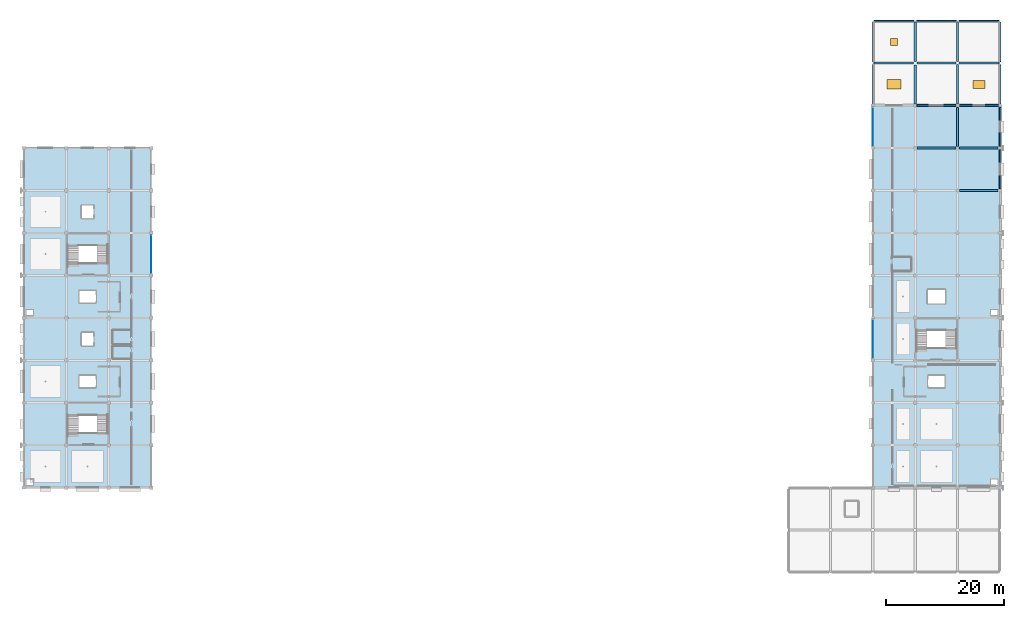
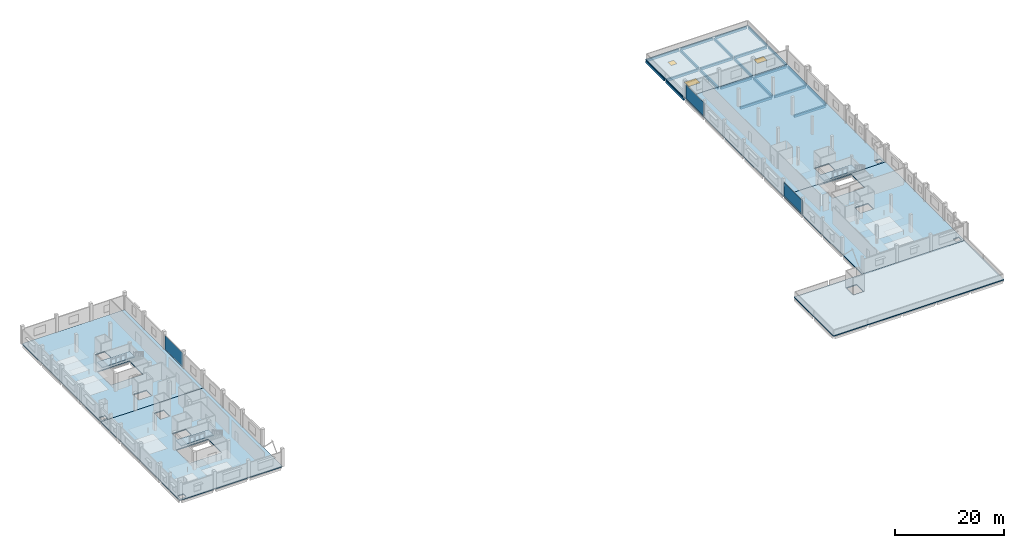
# One storey, part 11 of 26: 22 beams, 9 slabs, 3 plates, 3 windows, 3 openings, 6 elements without a shape of their own.
"""IFC4 building model written with IfcOpenShell, lengths in metres."""

from ifc_helpers import new_model, si_unit, direction, frame, origin, origin_2d, place, context, subcontext, project, spatial, polyline, rectangle, outline, extrude, material, layer, layer_set, material_profile, profile_set, type_object, element, fill, aggregate, save


model = new_model("IFC4")

# Units and contexts
model_context = context("Model", 3, precision=1e-05, world=origin(), true_north=direction((0.0, 1.0)))
body_context = subcontext(model_context, "Body", "Model", "MODEL_VIEW")
ifc_project = project(units=[si_unit("LENGTHUNIT", "METRE"), si_unit("AREAUNIT", "SQUARE_METRE"), si_unit("VOLUMEUNIT", "CUBIC_METRE"), si_unit("PLANEANGLEUNIT", "RADIAN"), si_unit("MASSUNIT", "GRAM", prefix="KILO")], contexts=[model_context])

# Site, building, storey
site_placement = place(None, origin())
site = spatial("IfcSite", under=ifc_project, at=site_placement, CompositionType="ELEMENT")
building_placement = place(site_placement, origin())
building = spatial("IfcBuilding", under=site, at=building_placement, Name="Kangsadwip Square Police Headquarters", CompositionType="ELEMENT")
storey_placement = place(building_placement, frame((0.0, 0.0, 25.64990234375)))
storey = spatial("IfcBuildingStorey", under=building, at=storey_placement, Name="L06", CompositionType="ELEMENT", Elevation=25.64990234375)

# Beams
ifc_material_1 = material(Name="Concrete M35 (35 MPa)", Category="concrete")
ifc_material_profile_1 = material_profile(ifc_material_1, rectangle(XDim=0.35009765625, YDim=0.550048828125, at=origin_2d()), Name="RC BM 550X350")
ifc_profile_set_1 = profile_set([ifc_material_profile_1], Name="Concrete M35 (35 MPa)")
beam_type_1 = type_object("IfcBeamType", Name="RcBeam550x350", PredefinedType="BEAM", material=ifc_profile_set_1)
beam_1_placement = place(storey_placement, frame((144.25, 108.0, -0.494873046875), z_axis=(1.0, 0.0, 0.0), x_axis=(0.0, 1.0, 0.0)))
element("IfcBeam", 1, at=beam_1_placement, inside=storey, type_object=beam_type_1, Name="Beam BM-L06-X-20-15", PredefinedType="BEAM", context=body_context, shape_type="SweptSolid", body=[
    extrude(rectangle(XDim=0.35009765625, YDim=0.550048828125, at=origin_2d()), origin(), (0.0, 0.0, 1.0), 6.675048828125),
])
beam_2_placement = place(storey_placement, frame((151.47509765625, 108.0, -0.494873046875), z_axis=(1.0, 0.0, 0.0), x_axis=(0.0, 1.0, 0.0)))
element("IfcBeam", 2, at=beam_2_placement, inside=storey, type_object=beam_type_1, Name="Beam BM-L06-X-21-15", PredefinedType="BEAM", context=body_context, shape_type="SweptSolid", body=[
    extrude(rectangle(XDim=0.35009765625, YDim=0.550048828125, at=origin_2d()), origin(), (0.0, 0.0, 1.0), 6.6748046875),
])
beam_3_placement = place(storey_placement, frame((158.64990234375, 108.0, -0.494873046875), z_axis=(1.0, 0.0, 0.0), x_axis=(0.0, 1.0, 0.0)))
element("IfcBeam", 3, at=beam_3_placement, inside=storey, type_object=beam_type_1, Name="Beam BM-L06-X-22-15", PredefinedType="BEAM", context=body_context, shape_type="SweptSolid", body=[
    extrude(rectangle(XDim=0.35009765625, YDim=0.550048828125, at=origin_2d()), origin(), (0.0, 0.0, 1.0), 6.675048828125),
])
beam_4_placement = place(storey_placement, frame((151.199951171875, 101.10009765625, -0.494873046875), z_axis=(0.0, 1.0, 0.0), x_axis=(-1.0, 0.0, 0.0)))
element("IfcBeam", 4, at=beam_4_placement, inside=storey, type_object=beam_type_1, Name="Beam BM-L06-Y-21-14", PredefinedType="BEAM", context=body_context, shape_type="SweptSolid", body=[
    extrude(rectangle(XDim=0.35009765625, YDim=0.550048828125, at=origin_2d()), origin(), (0.0, 0.0, 1.0), 6.625),
])
beam_5_placement = place(storey_placement, frame((151.199951171875, 108.27490234375, -0.494873046875), z_axis=(0.0, 1.0, 0.0), x_axis=(-1.0, 0.0, 0.0)))
element("IfcBeam", 5, at=beam_5_placement, inside=storey, type_object=beam_type_1, Name="Beam BM-L06-Y-21-15", PredefinedType="BEAM", context=body_context, shape_type="SweptSolid", body=[
    extrude(rectangle(XDim=0.35009765625, YDim=0.550048828125, at=origin_2d()), origin(), (0.0, 0.0, 1.0), 6.675048828125),
])
beam_6_placement = place(storey_placement, frame((158.39990234375, 101.10009765625, -0.494873046875), z_axis=(0.0, 1.0, 0.0), x_axis=(-1.0, 0.0, 0.0)))
element("IfcBeam", 6, at=beam_6_placement, inside=storey, type_object=beam_type_1, Name="Beam BM-L06-Y-22-14", PredefinedType="BEAM", context=body_context, shape_type="SweptSolid", body=[
    extrude(rectangle(XDim=0.35009765625, YDim=0.550048828125, at=origin_2d()), origin(), (0.0, 0.0, 1.0), 6.64990234375),
])
beam_7_placement = place(storey_placement, frame((158.39990234375, 108.25, -0.494873046875), z_axis=(0.0, 1.0, 0.0), x_axis=(-1.0, 0.0, 0.0)))
element("IfcBeam", 7, at=beam_7_placement, inside=storey, type_object=beam_type_1, Name="Beam BM-L06-Y-22-15", PredefinedType="BEAM", context=body_context, shape_type="SweptSolid", body=[
    extrude(rectangle(XDim=0.35009765625, YDim=0.550048828125, at=origin_2d()), origin(), (0.0, 0.0, 1.0), 6.675048828125),
])
beam_8_placement = place(storey_placement, frame((158.699951171875, 86.39990234375, -0.494873046875), z_axis=(1.0, 0.0, 0.0), x_axis=(0.0, 1.0, 0.0)))
element("IfcBeam", 8, at=beam_8_placement, inside=storey, type_object=beam_type_1, Name="Beam BM-L06-X-22-12", PredefinedType="BEAM", context=body_context, shape_type="SweptSolid", body=[
    extrude(rectangle(XDim=0.35009765625, YDim=0.550048828125, at=origin_2d()), origin(), (0.0, 0.0, 1.0), 6.550048828125),
])
beam_9_placement = place(storey_placement, frame((151.5, 93.60009765625, -0.494873046875), z_axis=(1.0, 0.0, 0.0), x_axis=(0.0, 1.0, 0.0)))
element("IfcBeam", 9, at=beam_9_placement, inside=storey, type_object=beam_type_1, Name="Beam BM-L06-X-21-13", PredefinedType="BEAM", context=body_context, shape_type="SweptSolid", body=[
    extrude(rectangle(XDim=0.35009765625, YDim=0.550048828125, at=origin_2d()), origin(), (0.0, 0.0, 1.0), 6.60009765625),
])
beam_10_placement = place(storey_placement, frame((158.699951171875, 93.60009765625, -0.494873046875), z_axis=(1.0, 0.0, 0.0), x_axis=(0.0, 1.0, 0.0)))
element("IfcBeam", 10, at=beam_10_placement, inside=storey, type_object=beam_type_1, Name="Beam BM-L06-X-22-13", PredefinedType="BEAM", context=body_context, shape_type="SweptSolid", body=[
    extrude(rectangle(XDim=0.35009765625, YDim=0.550048828125, at=origin_2d()), origin(), (0.0, 0.0, 1.0), 6.550048828125),
])
beam_11_placement = place(storey_placement, frame((158.39990234375, 93.89990234375, -0.494873046875), z_axis=(0.0, 1.0, 0.0), x_axis=(-1.0, 0.0, 0.0)))
element("IfcBeam", 11, at=beam_11_placement, inside=storey, type_object=beam_type_1, Name="Beam BM-L06-Y-22-13", PredefinedType="BEAM", context=body_context, shape_type="SweptSolid", body=[
    extrude(rectangle(XDim=0.35009765625, YDim=0.550048828125, at=origin_2d()), origin(), (0.0, 0.0, 1.0), 6.60009765625),
])
ifc_material_2 = material(Name="Concrete M35 (35 MPa)", Category="concrete")
ifc_material_profile_2 = material_profile(ifc_material_2, rectangle(XDim=0.25, YDim=0.52001953125, at=origin_2d()), Name="RC SPN 520X250")
ifc_profile_set_2 = profile_set([ifc_material_profile_2], Name="Concrete M35 (35 MPa)")
beam_type_2 = type_object("IfcBeamType", Name="RcSpandrel520x250", PredefinedType="SPANDREL", material=ifc_profile_set_2)
for number, where, z_axis, x_axis, name in (
    (12, (151.5, 100.800048828125, -0.47998046875), (1.0, 0.0, 0.0), (0.0, 1.0, 0.0), "Beam BM-L06-X-21-14"),
    (13, (158.699951171875, 100.800048828125, -0.47998046875), (1.0, 0.0, 0.0), (0.0, 1.0, 0.0), "Beam BM-L06-X-22-14"),
):
    element("IfcBeam", number, at=place(storey_placement, frame(where, z_axis=z_axis, x_axis=x_axis)), inside=storey, type_object=beam_type_2, Name=name, PredefinedType="SPANDREL", context=body_context, shape_type="SweptSolid", body=[
        extrude(rectangle(XDim=0.25, YDim=0.52001953125, at=origin_2d()), origin(), (0.0, 0.0, 1.0), 6.60009765625),
    ])
for number, where, z_axis, x_axis, name in (
    (14, (144.27490234375, 115.199951171875, -0.47998046875), (1.0, 0.0, 0.0), (0.0, 1.0, 0.0), "Beam BM-L06-X-20-16"),
    (15, (151.449951171875, 115.199951171875, -0.47998046875), (1.0, 0.0, 0.0), (0.0, 1.0, 0.0), "Beam BM-L06-X-21-16"),
    (16, (158.675048828125, 115.199951171875, -0.47998046875), (1.0, 0.0, 0.0), (0.0, 1.0, 0.0), "Beam BM-L06-X-22-16"),
):
    element("IfcBeam", number, at=place(storey_placement, frame(where, z_axis=z_axis, x_axis=x_axis)), inside=storey, type_object=beam_type_2, Name=name, PredefinedType="SPANDREL", context=body_context, shape_type="SweptSolid", body=[
        extrude(rectangle(XDim=0.25, YDim=0.52001953125, at=origin_2d()), origin(), (0.0, 0.0, 1.0), 6.675048828125),
    ])
beam_12_placement = place(storey_placement, frame((144.0, 101.10009765625, -0.47998046875), z_axis=(0.0, 1.0, 0.0), x_axis=(-1.0, 0.0, 0.0)))
element("IfcBeam", 17, at=beam_12_placement, inside=storey, type_object=beam_type_2, Name="Beam BM-L06-Y-20-14", PredefinedType="SPANDREL", context=body_context, shape_type="SweptSolid", body=[
    extrude(rectangle(XDim=0.25, YDim=0.52001953125, at=origin_2d()), origin(), (0.0, 0.0, 1.0), 6.64990234375),
])
beam_13_placement = place(storey_placement, frame((144.0, 108.25, -0.47998046875), z_axis=(0.0, 1.0, 0.0), x_axis=(-1.0, 0.0, 0.0)))
element("IfcBeam", 18, at=beam_13_placement, inside=storey, type_object=beam_type_2, Name="Beam BM-L06-Y-20-15", PredefinedType="SPANDREL", context=body_context, shape_type="SweptSolid", body=[
    extrude(rectangle(XDim=0.25, YDim=0.52001953125, at=origin_2d()), origin(), (0.0, 0.0, 1.0), 6.675048828125),
])
beam_14_placement = place(storey_placement, frame((165.60009765625, 101.10009765625, -0.47998046875), z_axis=(0.0, 1.0, 0.0), x_axis=(-1.0, 0.0, 0.0)))
element("IfcBeam", 19, at=beam_14_placement, inside=storey, type_object=beam_type_2, Name="Beam BM-L06-Y-23-14", PredefinedType="SPANDREL", context=body_context, shape_type="SweptSolid", body=[
    extrude(rectangle(XDim=0.25, YDim=0.52001953125, at=origin_2d()), origin(), (0.0, 0.0, 1.0), 6.625),
])
beam_15_placement = place(storey_placement, frame((165.60009765625, 108.27490234375, -0.47998046875), z_axis=(0.0, 1.0, 0.0), x_axis=(-1.0, 0.0, 0.0)))
element("IfcBeam", 20, at=beam_15_placement, inside=storey, type_object=beam_type_2, Name="Beam BM-L06-Y-23-15", PredefinedType="SPANDREL", context=body_context, shape_type="SweptSolid", body=[
    extrude(rectangle(XDim=0.25, YDim=0.52001953125, at=origin_2d()), origin(), (0.0, 0.0, 1.0), 6.675048828125),
])
beam_16_placement = place(storey_placement, frame((165.60009765625, 86.64990234375, -0.47998046875), z_axis=(0.0, 1.0, 0.0), x_axis=(-1.0, 0.0, 0.0)))
element("IfcBeam", 21, at=beam_16_placement, inside=storey, type_object=beam_type_2, Name="Beam BM-L06-Y-23-12", PredefinedType="SPANDREL", context=body_context, shape_type="SweptSolid", body=[
    extrude(rectangle(XDim=0.25, YDim=0.52001953125, at=origin_2d()), origin(), (0.0, 0.0, 1.0), 6.7001953125),
])
beam_17_placement = place(storey_placement, frame((165.60009765625, 93.85009765625, -0.47998046875), z_axis=(0.0, 1.0, 0.0), x_axis=(-1.0, 0.0, 0.0)))
element("IfcBeam", 22, at=beam_17_placement, inside=storey, type_object=beam_type_2, Name="Beam BM-L06-Y-23-13", PredefinedType="SPANDREL", context=body_context, shape_type="SweptSolid", body=[
    extrude(rectangle(XDim=0.25, YDim=0.52001953125, at=origin_2d()), origin(), (0.0, 0.0, 1.0), 6.64990234375),
])

# Curtain wall, plate
ifc_material_3 = material(Name="Thermally broken anodised aluminium AW-6063-T6", Category="aluminium")
ifc_layer_1 = layer(ifc_material_3, 0.159912109375)
ifc_layer_set_1 = layer_set([ifc_layer_1], Name="Thermally broken anodised aluminium AW-6063-T6")
curtain_wall_type_1 = type_object("IfcCurtainWallType", Name="CourtScreen6610x3300", PredefinedType="USERDEFINED", material=ifc_layer_set_1)
curtain_wall_1_placement = place(storey_placement, origin())
curtain_wall_1 = element("IfcCurtainWall", 23, at=curtain_wall_1_placement, inside=storey, type_object=curtain_wall_type_1, Name="Curtain Wall CW-L06-0216-0723", ObjectType="GLAZED_SCREEN", PredefinedType="USERDEFINED")
ifc_material_4 = material(Name="Double-glazed solar-control low-E safety glass", Category="glass")
ifc_layer_2 = layer(ifc_material_4, 0.02392578125)
ifc_layer_set_2 = layer_set([ifc_layer_2], Name="Double-glazed solar-control low-E safety glass")
plate_type = type_object("IfcPlateType", Name="CwCourtVisionPanel24", PredefinedType="CURTAIN_PANEL", material=ifc_layer_set_2)
plate_1_placement = place(storey_placement, frame((21.60009765625, 75.60009765625, 0.1201171875), z_axis=(0.0, 0.0, 1.0), x_axis=(0.0, 1.0, 0.0)))
plate_1 = element("IfcPlate", 24, at=plate_1_placement, type_object=plate_type, Name="CW-52 panel 1.1", PredefinedType="CURTAIN_PANEL", context=body_context, shape_type="SweptSolid", body=[
    extrude(rectangle(XDim=6.489990234375, YDim=0.02392578125, at=origin_2d()), origin(), (0.0, 0.0, 1.0), 3.06005859375),
])
aggregate(curtain_wall_1, [plate_1])

ifc_material_5 = material(Name="Thermally broken anodised aluminium AW-6063-T6", Category="aluminium")
ifc_layer_3 = layer(ifc_material_5, 0.159912109375)
ifc_layer_set_3 = layer_set([ifc_layer_3], Name="Thermally broken anodised aluminium AW-6063-T6")
curtain_wall_type_2 = type_object("IfcCurtainWallType", Name="CourtScreen6685x3300", PredefinedType="USERDEFINED", material=ifc_layer_set_3)
curtain_wall_2_placement = place(storey_placement, origin())
curtain_wall_2 = element("IfcCurtainWall", 25, at=curtain_wall_2_placement, inside=storey, type_object=curtain_wall_type_2, Name="Curtain Wall CW-L06-1440-0579", ObjectType="GLAZED_SCREEN", PredefinedType="USERDEFINED")
plate_2_placement = place(storey_placement, frame((144.0, 61.21240234375, 0.1201171875), z_axis=(0.0, 0.0, 1.0), x_axis=(0.0, 1.0, 0.0)))
plate_2 = element("IfcPlate", 26, at=plate_2_placement, type_object=plate_type, Name="CW-53 panel 1.1", PredefinedType="CURTAIN_PANEL", context=body_context, shape_type="SweptSolid", body=[
    extrude(rectangle(XDim=6.56494140625, YDim=0.02392578125, at=origin_2d()), origin(), (0.0, 0.0, 1.0), 3.06005859375),
])
aggregate(curtain_wall_2, [plate_2])

curtain_wall_3_placement = place(storey_placement, origin())
curtain_wall_3 = element("IfcCurtainWall", 27, at=curtain_wall_3_placement, inside=storey, type_object=curtain_wall_type_2, Name="Curtain Wall CW-L06-1440-0938", ObjectType="GLAZED_SCREEN", PredefinedType="USERDEFINED")
plate_3_placement = place(storey_placement, frame((144.0, 97.1875, 0.1201171875), z_axis=(0.0, 0.0, 1.0), x_axis=(0.0, 1.0, 0.0)))
plate_3 = element("IfcPlate", 28, at=plate_3_placement, type_object=plate_type, Name="CW-53 panel 1.1", PredefinedType="CURTAIN_PANEL", context=body_context, shape_type="SweptSolid", body=[
    extrude(rectangle(XDim=6.56494140625, YDim=0.02392578125, at=origin_2d()), origin(), (0.0, 0.0, 1.0), 3.06005859375),
])
aggregate(curtain_wall_3, [plate_3])

# Slab
ifc_material_6 = material(Name="Concrete M35 (35 MPa)", Category="concrete")
ifc_layer_4 = layer(ifc_material_6, 0.215087890625)
ifc_layer_set_4 = layer_set([ifc_layer_4], Name="Concrete M35 (35 MPa)")
slab_type_1 = type_object("IfcSlabType", Name="FlatRoofSlab180", PredefinedType="ROOF", material=ifc_layer_set_4)
slab_1_placement = place(storey_placement, frame((0.0, 0.0, -0.21484375)))
element("IfcSlab", 29, at=slab_1_placement, inside=storey, type_object=slab_type_1, Name="Custody Wing High Albedo Flat Roof SL-L06-072", PredefinedType="ROOF", context=body_context, shape_type="SweptSolid", body=[
    extrude(outline(polyline([(129.60009765625, 21.60009765625), (129.60009765625, 36.0), (165.60009765625, 36.0), (165.60009765625, 21.60009765625), (129.60009765625, 21.60009765625)]), holes=[polyline([(139.324951171875, 33.64990234375), (139.324951171875, 31.14990234375), (141.47509765625, 31.14990234375), (141.47509765625, 33.64990234375), (139.324951171875, 33.64990234375)])]), origin(), (0.0, 0.0, 1.0), 0.21484375),
])

# Slab, openings, windows
slab_2_placement = place(storey_placement, frame((0.0, 0.0, -0.21484375)))
slab_2 = element("IfcSlab", 30, at=slab_2_placement, inside=storey, type_object=slab_type_1, Name="Northeast Corner Insulated Flat Roof SL-L06-073", PredefinedType="ROOF", context=body_context, shape_type="SweptSolid", body=[
    extrude(outline(polyline([(144.0, 100.800048828125), (144.0, 115.199951171875), (165.60009765625, 115.199951171875), (165.60009765625, 100.800048828125), (144.0, 100.800048828125)]), holes=[polyline([(146.39990234375, 103.60009765625), (148.800048828125, 103.60009765625), (148.800048828125, 105.199951171875), (146.39990234375, 105.199951171875), (146.39990234375, 103.60009765625)]), polyline([(161.0, 103.699951171875), (163.0, 103.699951171875), (163.0, 105.10009765625), (161.0, 105.10009765625), (161.0, 103.699951171875)]), polyline([(147.0, 111.0), (148.199951171875, 111.0), (148.199951171875, 112.199951171875), (147.0, 112.199951171875), (147.0, 111.0)])]), origin(), (0.0, 0.0, 1.0), 0.21484375),
])
opening_1_placement = place(slab_2_placement, frame((147.60009765625, 104.39990234375, 0.0)))
opening_1 = element("IfcOpeningElement", 31, at=opening_1_placement, cuts=slab_2, Name="Opening SK-01", PredefinedType="OPENING", context=body_context, shape_type="SweptSolid", body=[
    extrude(rectangle(XDim=2.39990234375, YDim=1.60009765625, at=origin_2d()), origin(), (0.0, 0.0, 1.0), 0.21484375),
])
opening_2_placement = place(slab_2_placement, frame((162.0, 104.39990234375, 0.0)))
opening_2 = element("IfcOpeningElement", 32, at=opening_2_placement, cuts=slab_2, Name="Opening SK-02", PredefinedType="OPENING", context=body_context, shape_type="SweptSolid", body=[
    extrude(rectangle(XDim=2.0, YDim=1.39990234375, at=origin_2d()), origin(), (0.0, 0.0, 1.0), 0.21484375),
])
opening_3_placement = place(slab_2_placement, frame((147.60009765625, 111.60009765625, 0.0)))
opening_3 = element("IfcOpeningElement", 33, at=opening_3_placement, cuts=slab_2, Name="Opening SK-12", PredefinedType="OPENING", context=body_context, shape_type="SweptSolid", body=[
    extrude(rectangle(XDim=1.199951171875, YDim=1.199951171875, at=origin_2d()), origin(), (0.0, 0.0, 1.0), 0.21484375),
])
ifc_material_7 = material(Name="Double-glazed solar-control low-E safety glass", Category="glass")
window_type_1 = type_object("IfcWindowType", Name="FlatRoofLightdome1200x1200", PartitioningType="SINGLE_PANEL", PredefinedType="LIGHTDOME", material=ifc_material_7)
window_1_placement = place(opening_3_placement, frame((0.0, 0.0, 0.164794921875)))
window_1 = element("IfcWindow", 34, at=window_1_placement, inside=storey, type_object=window_type_1, Name="Roof Lightdome SK-L06-0472", OverallHeight=1.199951171875, OverallWidth=1.199951171875, PartitioningType="SINGLE_PANEL", PredefinedType="LIGHTDOME", context=body_context, shape_type="SweptSolid", body=[
    extrude(rectangle(XDim=1.199951171875, YDim=1.199951171875, at=origin_2d()), origin(), (0.0, 0.0, 1.0), 0.050048828125),
])
fill(opening_3, window_1)
ifc_material_8 = material(Name="Double-glazed solar-control low-E safety glass", Category="glass")
window_type_2 = type_object("IfcWindowType", Name="FlatRoofSkylight2000x1400", PartitioningType="SINGLE_PANEL", PredefinedType="SKYLIGHT", material=ifc_material_8)
window_2_placement = place(opening_2_placement, frame((0.0, 0.0, 0.164794921875)))
window_2 = element("IfcWindow", 35, at=window_2_placement, inside=storey, type_object=window_type_2, Name="Roof Skylight SK-L06-0471", OverallHeight=1.39990234375, OverallWidth=2.0, PartitioningType="SINGLE_PANEL", PredefinedType="SKYLIGHT", context=body_context, shape_type="SweptSolid", body=[
    extrude(rectangle(XDim=2.0, YDim=1.39990234375, at=origin_2d()), origin(), (0.0, 0.0, 1.0), 0.050048828125),
])
fill(opening_2, window_2)
ifc_material_9 = material(Name="Double-glazed solar-control low-E safety glass", Category="glass")
window_type_3 = type_object("IfcWindowType", Name="FlatRoofSkylight2400x1600", PartitioningType="SINGLE_PANEL", PredefinedType="SKYLIGHT", material=ifc_material_9)
window_3_placement = place(opening_1_placement, frame((0.0, 0.0, 0.164794921875)))
window_3 = element("IfcWindow", 36, at=window_3_placement, inside=storey, type_object=window_type_3, Name="Roof Skylight SK-L06-0470", OverallHeight=1.60009765625, OverallWidth=2.39990234375, PartitioningType="SINGLE_PANEL", PredefinedType="SKYLIGHT", context=body_context, shape_type="SweptSolid", body=[
    extrude(rectangle(XDim=2.39990234375, YDim=1.60009765625, at=origin_2d()), origin(), (0.0, 0.0, 1.0), 0.050048828125),
])
fill(opening_1, window_3)

# Slabs
ifc_material_10 = material(Name="Concrete M35 (35 MPa)", Category="concrete")
ifc_layer_5 = layer(ifc_material_10, 0.219970703125)
ifc_layer_set_5 = layer_set([ifc_layer_5], Name="Concrete M35 (35 MPa)")
slab_type_2 = type_object("IfcSlabType", Name="LinkBridgeFloorSlab220", PredefinedType="FLOOR", material=ifc_layer_set_5)
slab_3_placement = place(storey_placement, frame((0.0, 0.0, -0.219970703125)))
element("IfcSlab", 37, at=slab_3_placement, inside=storey, type_object=slab_type_2, Name="L06 Vol5S Slab SL-L06-060", PredefinedType="FLOOR", context=body_context, shape_type="SweptSolid", body=[
    extrude(outline(polyline([(0.0, 36.0), (0.0, 64.800048828125), (21.60009765625, 64.800048828125), (21.60009765625, 36.0), (0.0, 36.0)]), holes=[polyline([(0.39990234375, 37.39990234375), (0.39990234375, 36.39990234375), (1.60009765625, 36.39990234375), (1.60009765625, 37.39990234375), (0.39990234375, 37.39990234375)]), polyline([(14.179931640625, 45.280029296875), (14.179931640625, 50.179931640625), (7.419921875, 50.179931640625), (7.419921875, 45.280029296875), (14.179931640625, 45.280029296875)]), polyline([(12.199951171875, 55.0), (9.39990234375, 55.0), (9.39990234375, 53.0), (12.199951171875, 53.0), (12.199951171875, 55.0)]), polyline([(11.800048828125, 62.300048828125), (9.800048828125, 62.300048828125), (9.800048828125, 60.10009765625), (11.800048828125, 60.10009765625), (11.800048828125, 62.300048828125)])]), origin(), (0.0, 0.0, 1.0), 0.219970703125),
])
slab_4_placement = place(storey_placement, frame((0.0, 0.0, -0.219970703125)))
element("IfcSlab", 38, at=slab_4_placement, inside=storey, type_object=slab_type_2, Name="L06 Vol5N Slab SL-L06-061", PredefinedType="FLOOR", context=body_context, shape_type="SweptSolid", body=[
    extrude(outline(polyline([(0.0, 64.800048828125), (0.0, 93.60009765625), (21.60009765625, 93.60009765625), (21.60009765625, 64.800048828125), (0.0, 64.800048828125)]), holes=[polyline([(1.60009765625, 66.199951171875), (0.39990234375, 66.199951171875), (0.39990234375, 65.199951171875), (1.60009765625, 65.199951171875), (1.60009765625, 66.199951171875)]), polyline([(12.199951171875, 69.39990234375), (9.39990234375, 69.39990234375), (9.39990234375, 67.39990234375), (12.199951171875, 67.39990234375), (12.199951171875, 69.39990234375)]), polyline([(14.179931640625, 74.080078125), (14.179931640625, 78.97998046875), (7.419921875, 78.97998046875), (7.419921875, 74.080078125), (14.179931640625, 74.080078125)]), polyline([(11.800048828125, 83.89990234375), (9.800048828125, 83.89990234375), (9.800048828125, 81.699951171875), (11.800048828125, 81.699951171875), (11.800048828125, 83.89990234375)])]), origin(), (0.0, 0.0, 1.0), 0.219970703125),
])
slab_5_placement = place(storey_placement, frame((0.0, 0.0, -0.219970703125)))
element("IfcSlab", 39, at=slab_5_placement, inside=storey, type_object=slab_type_2, Name="L06 Vol6S Slab SL-L06-062", PredefinedType="FLOOR", context=body_context, shape_type="SweptSolid", body=[
    extrude(outline(polyline([(144.0, 36.0), (144.0, 64.800048828125), (165.60009765625, 64.800048828125), (165.60009765625, 36.0), (144.0, 36.0)]), holes=[polyline([(165.199951171875, 37.39990234375), (164.0, 37.39990234375), (164.0, 36.39990234375), (165.199951171875, 36.39990234375), (165.199951171875, 37.39990234375)]), polyline([(156.199951171875, 55.0), (153.39990234375, 55.0), (153.39990234375, 53.0), (156.199951171875, 53.0), (156.199951171875, 55.0)]), polyline([(158.179931640625, 59.679931640625), (158.179931640625, 64.580078125), (151.419921875, 64.580078125), (151.419921875, 59.679931640625), (158.179931640625, 59.679931640625)])]), origin(), (0.0, 0.0, 1.0), 0.219970703125),
])
slab_6_placement = place(storey_placement, frame((0.0, 0.0, -0.219970703125)))
element("IfcSlab", 40, at=slab_6_placement, inside=storey, type_object=slab_type_2, Name="L06 Vol6N Slab SL-L06-063", PredefinedType="FLOOR", context=body_context, shape_type="SweptSolid", body=[
    extrude(outline(polyline([(144.0, 64.800048828125), (144.0, 100.800048828125), (165.60009765625, 100.800048828125), (165.60009765625, 64.800048828125), (144.0, 64.800048828125)]), holes=[polyline([(165.199951171875, 66.199951171875), (164.0, 66.199951171875), (164.0, 65.199951171875), (165.199951171875, 65.199951171875), (165.199951171875, 66.199951171875)]), polyline([(156.300048828125, 69.60009765625), (153.300048828125, 69.60009765625), (153.300048828125, 67.199951171875), (156.300048828125, 67.199951171875), (156.300048828125, 69.60009765625)])]), origin(), (0.0, 0.0, 1.0), 0.219970703125),
])

# Stair, slab
ifc_material_11 = material(Name="Concrete M35 (35 MPa)", Category="concrete")
stair_type = type_object("IfcStairType", Name="Stair2FlightTypW1850", PredefinedType="HALF_TURN_STAIR", material=ifc_material_11)
stair_1_placement = place(storey_placement, origin())
stair_1 = element("IfcStair", 41, at=stair_1_placement, inside=storey, type_object=stair_type, Name="Protected Stair ST-01 L06", PredefinedType="HALF_TURN_STAIR")
ifc_material_12 = material(Name="Concrete M35 (35 MPa)", Category="concrete")
ifc_layer_6 = layer(ifc_material_12, 0.199951171875)
ifc_layer_set_6 = layer_set([ifc_layer_6], Name="Concrete M35 (35 MPa)")
slab_type_3 = type_object("IfcSlabType", Name="StairLandingSlab200", PredefinedType="LANDING", material=ifc_layer_set_6)
slab_7_placement = place(storey_placement, frame((0.0, 0.0, 1.906005859375)))
slab_7 = element("IfcSlab", 42, at=slab_7_placement, type_object=slab_type_3, Name="ST-01 landing 1", PredefinedType="LANDING", context=body_context, shape_type="SweptSolid", body=[
    extrude(outline(polyline([(7.3701171875, 48.280029296875), (14.22998046875, 48.280029296875), (14.22998046875, 50.22998046875), (7.3701171875, 50.22998046875), (7.3701171875, 48.280029296875)])), origin(), (0.0, 0.0, 1.0), 0.2001953125),
])
aggregate(stair_1, [slab_7])

stair_2_placement = place(storey_placement, origin())
stair_2 = element("IfcStair", 43, at=stair_2_placement, inside=storey, type_object=stair_type, Name="Protected Stair ST-02 L06", PredefinedType="HALF_TURN_STAIR")
slab_8_placement = place(storey_placement, frame((0.0, 0.0, 1.906005859375)))
slab_8 = element("IfcSlab", 44, at=slab_8_placement, type_object=slab_type_3, Name="ST-02 landing 1", PredefinedType="LANDING", context=body_context, shape_type="SweptSolid", body=[
    extrude(outline(polyline([(7.3701171875, 77.080078125), (14.22998046875, 77.080078125), (14.22998046875, 79.030029296875), (7.3701171875, 79.030029296875), (7.3701171875, 77.080078125)])), origin(), (0.0, 0.0, 1.0), 0.2001953125),
])
aggregate(stair_2, [slab_8])

stair_3_placement = place(storey_placement, origin())
stair_3 = element("IfcStair", 45, at=stair_3_placement, inside=storey, type_object=stair_type, Name="Protected Stair ST-03 L06", PredefinedType="HALF_TURN_STAIR")
slab_9_placement = place(storey_placement, frame((0.0, 0.0, 1.906005859375)))
slab_9 = element("IfcSlab", 46, at=slab_9_placement, type_object=slab_type_3, Name="ST-03 landing 1", PredefinedType="LANDING", context=body_context, shape_type="SweptSolid", body=[
    extrude(outline(polyline([(151.3701171875, 62.679931640625), (158.22998046875, 62.679931640625), (158.22998046875, 64.6298828125), (151.3701171875, 64.6298828125), (151.3701171875, 62.679931640625)])), origin(), (0.0, 0.0, 1.0), 0.2001953125),
])
aggregate(stair_3, [slab_9])

save(model, "model.ifc")
